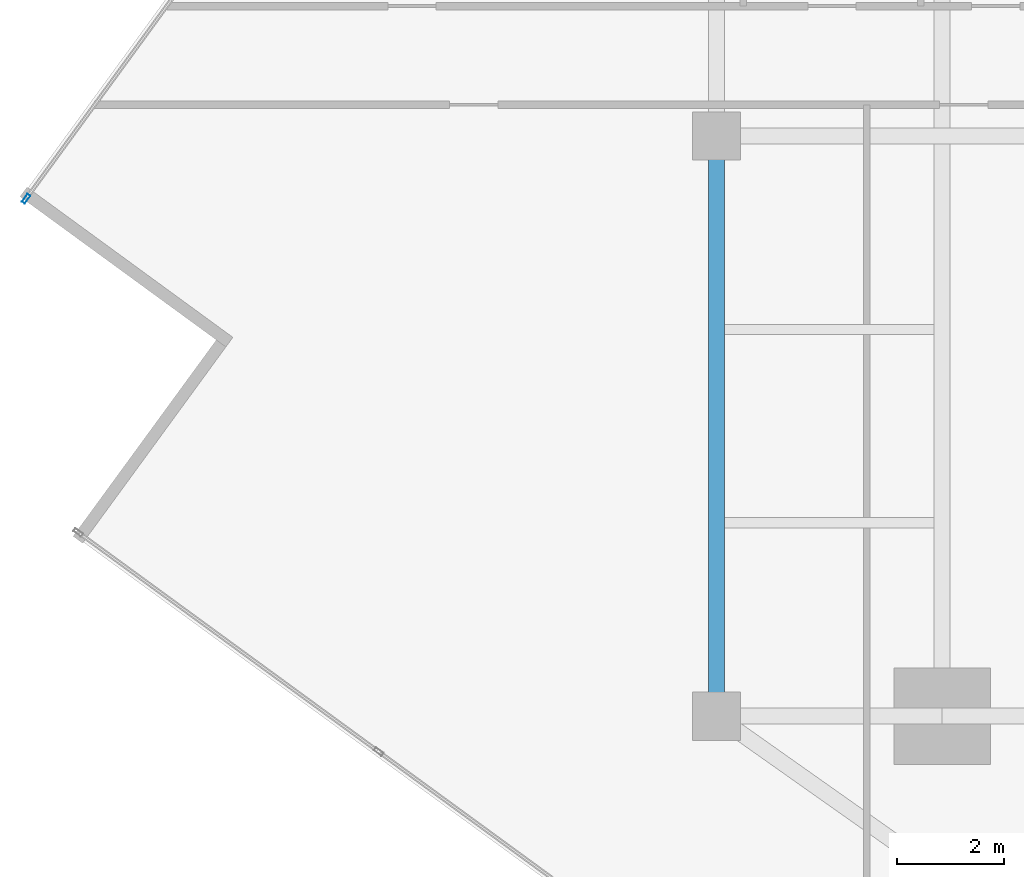
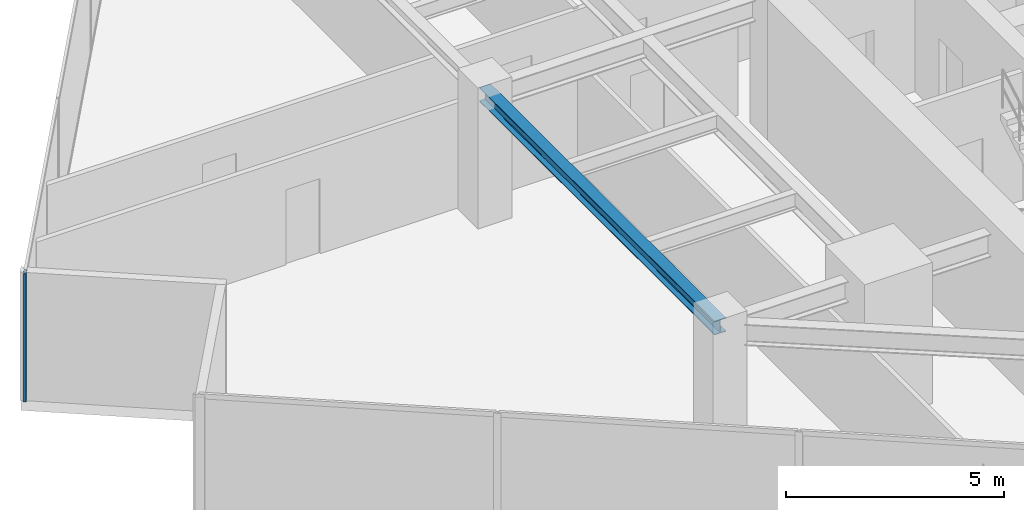
# One storey, part 6 of 25: 1 beam, 1 member, 1 element without a shape of its own.
"""IFC4 building model written with IfcOpenShell, lengths in metres."""

import ifcopenshell
import ifcopenshell.guid

model = None  # the IFC model being written
_history = None  # IfcOwnerHistory: only IFC2X3 demands one
_inside = {}  # id of a spatial element -> (the spatial element, [elements in it])
_under = {}  # id of a project, library or spatial element -> (it, [spatial elements below it])
_declared = {}  # id of a project -> (the project, [libraries it declares])
_typed = {}  # id of a type object -> (the type object, [elements of that type])
_made_of = {}  # id of a material, layer set ... -> (it, [elements and type objects made of it])


def new_model(schema):
    """Start an empty IFC model of exactly this schema.

    Asked for "IFC4X3", IfcOpenShell would pick the latest addendum, in which some entities
    have other attributes; the version numbers below select the first issue.
    IFC2X3 requires an IfcOwnerHistory on every rooted entity: one is made here for all.
    """
    global model, _history
    if schema == "IFC4X3":
        model = ifcopenshell.file(schema_version=(4, 3, 0, 0))
    else:
        model = ifcopenshell.file(schema=schema)
    _inside.clear()
    _under.clear()
    _declared.clear()
    _typed.clear()
    _made_of.clear()
    _history = None
    if model.schema == "IFC2X3":
        org = make("IfcOrganization", Name="unknown")
        user = make(
            "IfcPersonAndOrganization",
            ThePerson=make("IfcPerson", FamilyName="unknown"),
            TheOrganization=org,
        )
        app = make(
            "IfcApplication",
            ApplicationDeveloper=org,
            Version="unknown",
            ApplicationFullName="unknown",
            ApplicationIdentifier="unknown",
        )
        _history = make(
            "IfcOwnerHistory",
            OwningUser=user,
            OwningApplication=app,
            ChangeAction="ADDED",
            CreationDate=0,
        )
    return model


def make(cls, **values):
    """One entity of the class cls with the attributes given. An attribute that is None is left unset."""
    return model.create_entity(
        cls, **{name: value for name, value in values.items() if value is not None}
    )


def rooted(cls, **values):
    """An entity with a GlobalId (a new one), such as an element, a storey or a relation."""
    return make(cls, GlobalId=ifcopenshell.guid.new(), OwnerHistory=_history, **values)


def si_unit(unit_type, name, prefix=None):
    """IfcSIUnit, for example si_unit("LENGTHUNIT", "METRE", prefix="MILLI")."""
    return make("IfcSIUnit", UnitType=unit_type, Prefix=prefix, Name=name)


def assignment(units):
    """IfcUnitAssignment: the units of a project."""
    return None if units is None else make("IfcUnitAssignment", Units=units)


def point(xyz):
    """IfcCartesianPoint."""
    return None if xyz is None else make("IfcCartesianPoint", Coordinates=xyz)


def direction(xyz):
    """IfcDirection."""
    return None if xyz is None else make("IfcDirection", DirectionRatios=xyz)


def frame(location, z_axis=None, x_axis=None):
    """IfcAxis2Placement3D, a coordinate frame: its origin and axes. An axis left out is left unset."""
    return make(
        "IfcAxis2Placement3D",
        Location=point(location),
        Axis=direction(z_axis),
        RefDirection=direction(x_axis),
    )


def frame_2d(location, x_axis=None):
    """IfcAxis2Placement2D, a coordinate frame in the plane: its origin and x axis."""
    return make(
        "IfcAxis2Placement2D", Location=point(location), RefDirection=direction(x_axis)
    )


def origin():
    """The frame at (0, 0, 0) with its axes left unset."""
    return frame((0.0, 0.0, 0.0))


def origin_2d():
    """The frame at (0, 0) in the plane with its x axis left unset."""
    return frame_2d((0.0, 0.0))


def place(relative_to, where):
    """IfcLocalPlacement: puts the frame where relative to a parent placement (None: the world)."""
    return make(
        "IfcLocalPlacement", PlacementRelTo=relative_to, RelativePlacement=where
    )


def context(
    kind, dimensions, precision=None, world=None, true_north=None, identifier=None
):
    """IfcGeometricRepresentationContext, for example the 3D "Model" context."""
    return make(
        "IfcGeometricRepresentationContext",
        ContextIdentifier=identifier,
        ContextType=kind,
        CoordinateSpaceDimension=dimensions,
        Precision=precision,
        WorldCoordinateSystem=world,
        TrueNorth=true_north,
    )


def subcontext(parent, identifier, kind, view, scale=None):
    """IfcGeometricRepresentationSubContext, for example "Body" below "Model"."""
    return make(
        "IfcGeometricRepresentationSubContext",
        ContextIdentifier=identifier,
        ContextType=kind,
        ParentContext=parent,
        TargetScale=scale,
        TargetView=view,
    )


def project(units=None, contexts=None):
    """IfcProject with its units and contexts."""
    return rooted(
        "IfcProject",
        Name="project",
        RepresentationContexts=contexts,
        UnitsInContext=assignment(units),
    )


def spatial(cls, under=None, at=None, **own):
    """A site, building, storey or space (cls), placed at a placement, below another one or the project."""
    s = rooted(cls, ObjectPlacement=at, **own)
    if under is not None:
        _under.setdefault(under.id(), (under, []))[1].append(s)
    return s


def profile(cls, at=None, kind="AREA", **sizes):
    """A parametric profile (cls). Its sizes go by their IFC names, for example OverallWidth=200.0."""
    return make(cls, ProfileType=kind, Position=at, **sizes)


def hollow_rectangle(**sizes):
    """IfcRectangleHollowProfileDef."""
    return profile("IfcRectangleHollowProfileDef", **sizes)


def i_section(**sizes):
    """IfcIShapeProfileDef."""
    return profile("IfcIShapeProfileDef", **sizes)


def extrude(swept, where, along, depth):
    """IfcExtrudedAreaSolid: the profile swept, set in the frame where, extruded along a direction by depth."""
    return make(
        "IfcExtrudedAreaSolid",
        SweptArea=swept,
        Position=where,
        ExtrudedDirection=direction(along),
        Depth=depth,
    )


def shape(context_of_items, identifier, shape_type, items):
    """IfcShapeRepresentation: the items that make up one representation, for example the "Body"."""
    return make(
        "IfcShapeRepresentation",
        ContextOfItems=context_of_items,
        RepresentationIdentifier=identifier,
        RepresentationType=shape_type,
        Items=items,
    )


def source(mapping_origin, context_of_items, identifier, shape_type, items):
    """IfcRepresentationMap: a shape defined once, which mapped items show again and again."""
    return make(
        "IfcRepresentationMap",
        MappingOrigin=mapping_origin,
        MappedRepresentation=shape(context_of_items, identifier, shape_type, items),
    )


def transform(
    local_origin,
    x_axis=None,
    y_axis=None,
    z_axis=None,
    scale=None,
    scale2=None,
    scale3=None,
    uniform=True,
):
    """IfcCartesianTransformationOperator3D, or its non-uniform kind. x_axis, y_axis, z_axis: its Axis1, 2, 3."""
    if uniform:
        return make(
            "IfcCartesianTransformationOperator3D",
            Axis1=direction(x_axis),
            Axis2=direction(y_axis),
            LocalOrigin=point(local_origin),
            Scale=scale,
            Axis3=direction(z_axis),
        )
    return make(
        "IfcCartesianTransformationOperator3DnonUniform",
        Axis1=direction(x_axis),
        Axis2=direction(y_axis),
        LocalOrigin=point(local_origin),
        Scale=scale,
        Axis3=direction(z_axis),
        Scale2=scale2,
        Scale3=scale3,
    )


def mapped(mapping_source, mapping_target):
    """IfcMappedItem: shows the shape of a source again, moved by a transform."""
    return make(
        "IfcMappedItem", MappingSource=mapping_source, MappingTarget=mapping_target
    )


def material(Name=None, Category=None):
    """IfcMaterial."""
    return make("IfcMaterial", Name=Name, Category=Category)


def material_profile(
    of_material, cross_section, Name=None, Category=None, Priority=None
):
    """IfcMaterialProfile: a cross section and its material."""
    return make(
        "IfcMaterialProfile",
        Name=Name,
        Material=of_material,
        Profile=cross_section,
        Priority=Priority,
        Category=Category,
    )


def profile_set(profiles, Name=None, composite=None):
    """IfcMaterialProfileSet."""
    return make(
        "IfcMaterialProfileSet",
        Name=Name,
        MaterialProfiles=profiles,
        CompositeProfile=composite,
    )


def made_of(thing, what):
    """Note that an element or type object is made of a material, layer set ...; save() writes the relation."""
    if what is not None:
        _made_of.setdefault(what.id(), (what, []))[1].append(thing)
    return thing


def type_object(cls, material=None, **own):
    """A type object (cls), such as IfcWallType, which elements share."""
    return made_of(rooted(cls, **own), material)


def type_shapes(of_type, sources):
    """Give a type object the sources (RepresentationMaps) that its elements show as mapped items."""
    of_type.RepresentationMaps = sources


def element(
    cls,
    number,
    at=None,
    inside=None,
    cuts=None,
    type_object=None,
    material=None,
    context=None,
    identifier="Body",
    shape_type=None,
    held_by="IfcProductDefinitionShape",
    body=None,
    shapes=None,
    **own,
):
    """One element of the class cls, such as IfcWall. Its Tag is "e" and its number.

    at: its placement. inside: the storey or other place that contains it. cuts: it is an
    opening in that element (IfcRelVoidsElement). A single representation is given by context,
    identifier, shape_type and body (its items); several are given by shapes. held_by: the class
    of the entity that holds the representations. save() writes the other relations.
    """
    e = rooted(cls, Tag="e%d" % number, ObjectPlacement=at, **own)
    if body is not None:
        shapes = [shape(context, identifier, shape_type, body)]
    if shapes is not None:
        e.Representation = make(held_by, Representations=shapes)
    if inside is not None:
        _inside.setdefault(inside.id(), (inside, []))[1].append(e)
    if cuts is not None:
        rooted(
            "IfcRelVoidsElement", RelatingBuildingElement=cuts, RelatedOpeningElement=e
        )
    if type_object is not None:
        _typed.setdefault(type_object.id(), (type_object, []))[1].append(e)
    return made_of(e, material)


def aggregate(whole, parts):
    """IfcRelAggregates: a whole, such as a stair, and the parts it consists of."""
    return rooted("IfcRelAggregates", RelatingObject=whole, RelatedObjects=parts)


def save(model, path):
    """Write the relations noted so far, then the file.

    IfcRelAggregates (storeys below a building ...), IfcRelContainedInSpatialStructure (elements
    in a storey), IfcRelDefinesByType, IfcRelAssociatesMaterial and IfcRelDeclares: one each for
    every whole, place, type object, material and project.
    """
    for whole, parts in _under.values():
        aggregate(whole, parts)
    for where, things in _inside.values():
        rooted(
            "IfcRelContainedInSpatialStructure",
            RelatedElements=things,
            RelatingStructure=where,
        )
    for kind, things in _typed.values():
        rooted("IfcRelDefinesByType", RelatedObjects=things, RelatingType=kind)
    for what, things in _made_of.values():
        rooted("IfcRelAssociatesMaterial", RelatedObjects=things, RelatingMaterial=what)
    for by, libraries in _declared.values():
        rooted("IfcRelDeclares", RelatingContext=by, RelatedDefinitions=libraries)
    model.write(path)


model = new_model("IFC4")

# Units and contexts
model_context = context("Model", 3, precision=1e-05, world=origin(), true_north=direction((0.0, 1.0)))
body_context = subcontext(model_context, "Body", "Model", "MODEL_VIEW")
ifc_project = project(units=[si_unit("LENGTHUNIT", "METRE"), si_unit("AREAUNIT", "SQUARE_METRE"), si_unit("VOLUMEUNIT", "CUBIC_METRE"), si_unit("PLANEANGLEUNIT", "RADIAN"), si_unit("MASSUNIT", "GRAM", prefix="KILO")], contexts=[model_context])

# Site, building, storey
site_placement = place(None, origin())
site = spatial("IfcSite", under=ifc_project, at=site_placement, CompositionType="ELEMENT")
building_placement = place(site_placement, origin())
building = spatial("IfcBuilding", under=site, at=building_placement, Name="Krantzveldt Concourse Tower", CompositionType="ELEMENT")
storey_placement = place(building_placement, frame((0.0, 0.0, 197.550048828125)))
storey = spatial("IfcBuildingStorey", under=building, at=storey_placement, Name="L48", CompositionType="ELEMENT", Elevation=197.550048828125)

# Beam
ifc_material_1 = material(Name="Steel S355JR", Category="steel")
ifc_material_profile_1 = material_profile(ifc_material_1, i_section(OverallWidth=0.300048828125, OverallDepth=0.389892578125, WebThickness=0.010986328125, FlangeThickness=0.01904296875, FilletRadius=0.027099609375, at=origin_2d()), Name="Steel S355JR", Category="steel")
ifc_profile_set_1 = profile_set([ifc_material_profile_1], Name="Steel S355JR - HEA 400")
beam_type = type_object("IfcBeamType", Name="BM-SP-HEA400", PredefinedType="SPANDREL", material=ifc_profile_set_1)
shared_shape_1 = source(origin(), body_context, "Body", "SweptSolid", [
    extrude(i_section(OverallWidth=0.300048828125, OverallDepth=0.389892578125, WebThickness=0.010986328125, FlangeThickness=0.01904296875, FilletRadius=0.027099609375, at=origin_2d()), origin(), (0.0, 0.0, 1.0), 10.800048828125),
])
type_shapes(beam_type, [shared_shape_1])
beam_placement = place(storey_placement, frame((21.0, 15.89990234375, 3.39501953125), z_axis=(0.0, 1.0, 0.0), x_axis=(-1.0, 0.0, 0.0)))
element("IfcBeam", 1, at=beam_placement, inside=storey, type_object=beam_type, Name="L48 Tower Girder SP-R01", PredefinedType="SPANDREL", context=body_context, shape_type="MappedRepresentation", body=[
    mapped(shared_shape_1, transform((0.0, 0.0, 0.0), x_axis=(1.0, 0.0, 0.0), y_axis=(0.0, 1.0, 0.0), z_axis=(0.0, 0.0, 1.0), scale=1.0)),
])

# Curtain wall, member
ifc_material_2 = material(Name="Anodised aluminium 6063-T6", Category="aluminium")
curtain_wall_type = type_object("IfcCurtainWallType", Name="CW3", PredefinedType="USERDEFINED", material=ifc_material_2)
curtain_wall_placement = place(storey_placement, origin())
curtain_wall = element("IfcCurtainWall", 2, at=curtain_wall_placement, inside=storey, type_object=curtain_wall_type, Name="CW-L48-F01", ObjectType="UNITISED CURTAIN WALL", PredefinedType="USERDEFINED")
ifc_material_profile_2 = material_profile(ifc_material_2, hollow_rectangle(XDim=0.070068359375, YDim=0.179931640625, WallThickness=0.0048828125, at=origin_2d()), Name="Anodised aluminium 6063-T6", Category="aluminium")
ifc_profile_set_2 = profile_set([ifc_material_profile_2], Name="Anodised aluminium 6063-T6 - ALU-MULL 180x70x5")
member_type = type_object("IfcMemberType", Name="CW-MUL-180", PredefinedType="MULLION", material=ifc_profile_set_2)
shared_shape_2 = source(origin(), body_context, "Body", "SweptSolid", [
    extrude(hollow_rectangle(XDim=0.070068359375, YDim=0.179931640625, WallThickness=0.0048828125, at=origin_2d()), origin(), (0.0, 0.0, 1.0), 3.58984375),
])
type_shapes(member_type, [shared_shape_2])
member_placement = place(storey_placement, frame((8.145751953125, 25.53173828125, 0.0), z_axis=(0.0, 0.0, 1.0), x_axis=(0.807732735781, -0.589548833895, 0.0)))
member = element("IfcMember", 3, at=member_placement, type_object=member_type, Name="CW-Z34 mullion 6", PredefinedType="MULLION", context=body_context, shape_type="MappedRepresentation", body=[
    mapped(shared_shape_2, transform((0.0, 0.0, 0.0), x_axis=(1.0, 0.0, 0.0), y_axis=(0.0, 1.0, 0.0), z_axis=(0.0, 0.0, 1.0), scale=1.0)),
])
aggregate(curtain_wall, [member])

save(model, "model.ifc")
